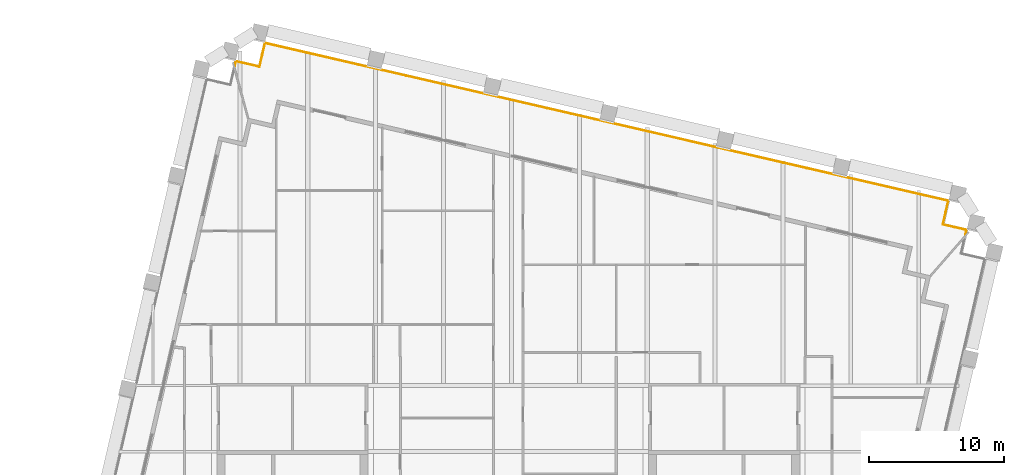
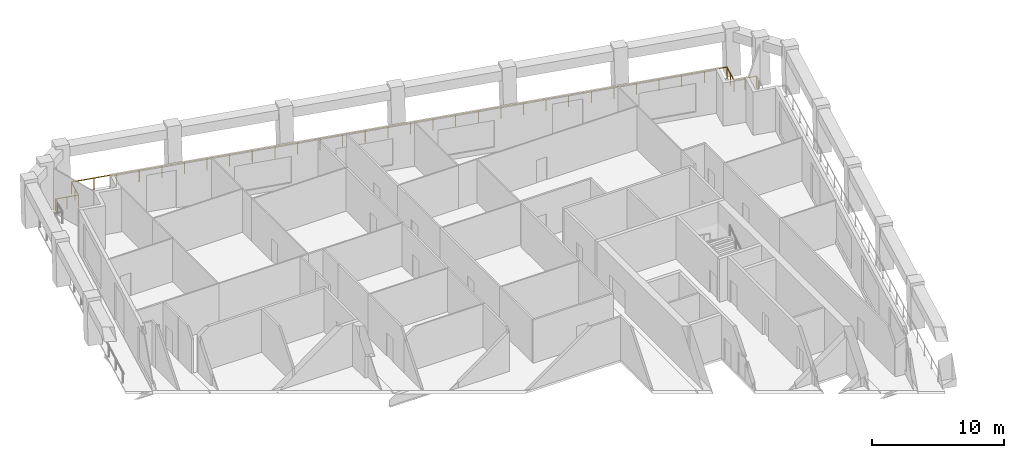
# One storey, part 11 of 11: 1 railing.
"""IFC4 building model written with IfcOpenShell, lengths in metres."""

from ifc_helpers import new_model, si_unit, direction, frame, origin, origin_2d, place, context, subcontext, project, spatial, circle, extrude, material, type_object, element, save


model = new_model("IFC4")

# Units and contexts
model_context = context("Model", 3, precision=1e-05, world=origin(), true_north=direction((0.0, 1.0)))
body_context = subcontext(model_context, "Body", "Model", "MODEL_VIEW")
ifc_project = project(units=[si_unit("LENGTHUNIT", "METRE"), si_unit("AREAUNIT", "SQUARE_METRE"), si_unit("VOLUMEUNIT", "CUBIC_METRE"), si_unit("PLANEANGLEUNIT", "RADIAN"), si_unit("MASSUNIT", "GRAM", prefix="KILO")], contexts=[model_context])

# Site, building, storey
site_placement = place(None, origin())
site = spatial("IfcSite", under=ifc_project, at=site_placement, CompositionType="ELEMENT")
building_placement = place(site_placement, origin())
building = spatial("IfcBuilding", under=site, at=building_placement, Name="Ogive Exchange Tower", CompositionType="ELEMENT")
storey_placement = place(building_placement, frame((0.0, 0.0, 259.800048828125)))
storey = spatial("IfcBuildingStorey", under=building, at=storey_placement, Name="L56", CompositionType="ELEMENT", Elevation=259.800048828125)

# Railing
ifc_material = material(Name="Stainless steel 316", Category="steel")
railing_type = type_object("IfcRailingType", Name="Guard 1100 stainless steel and glass", PredefinedType="GUARDRAIL", material=ifc_material)
railing_placement = place(storey_placement, frame((-20.263671875, 54.2216796875, -0.050048828125)))
element("IfcRailing", 1, at=railing_placement, inside=storey, type_object=railing_type, Name="Loggia guard 3", PredefinedType="GUARDRAIL", context=body_context, shape_type="SweptSolid", body=[
    extrude(circle(Radius=0.02392578125, at=origin_2d()), frame((0.0, 0.0, 1.076171875), z_axis=(0.225010268541, 0.974356392215, 0.0), x_axis=(-0.974356392215, 0.225010268541, 0.0)), (0.0, 0.0, 1.0), 0.354736328125),
    extrude(circle(Radius=0.02392578125, at=origin_2d()), frame((0.079833984375, 0.345703125, 1.076171875), z_axis=(0.974386623598, -0.224879318197, 0.0), x_axis=(0.224879318197, 0.974386623598, 0.0)), (0.0, 0.0, 1.0), 1.800048828125),
    extrude(circle(Radius=0.02392578125, at=origin_2d()), frame((1.833740234375, -0.05908203125, 1.076171875), z_axis=(0.224879318197, 0.974386623598, 0.0), x_axis=(-0.974386623598, 0.224879318197, 0.0)), (0.0, 0.0, 1.0), 1.800048828125),
    extrude(circle(Radius=0.02392578125, at=origin_2d()), frame((2.238525390625, 1.69482421875, 1.076171875), z_axis=(0.974370126852, -0.224950785504, 0.0), x_axis=(0.224950785504, 0.974370126852, 0.0)), (0.0, 0.0, 1.0), 51.960205078125),
    extrude(circle(Radius=0.02392578125, at=origin_2d()), frame((52.866943359375, -9.99365234375, 1.076171875), z_axis=(-0.225008086135, -0.974356896201, 0.0), x_axis=(0.974356896201, -0.225008086135, 0.0)), (0.0, 0.0, 1.0), 1.800048828125),
    extrude(circle(Radius=0.02392578125, at=origin_2d()), frame((52.4619140625, -11.74755859375, 1.076171875), z_axis=(0.974356896201, -0.225008086135, 0.0), x_axis=(0.225008086135, 0.974356896201, 0.0)), (0.0, 0.0, 1.0), 1.800048828125),
    extrude(circle(Radius=0.02392578125, at=origin_2d()), frame((54.2158203125, -12.152587890625, 1.076171875), z_axis=(-0.225010268541, -0.974356392215, 0.0), x_axis=(0.974356392215, -0.225010268541, 0.0)), (0.0, 0.0, 1.0), 0.354736328125),
    extrude(circle(Radius=0.02099609375, at=origin_2d()), origin(), (0.0, 0.0, 1.0), 1.052001953125),
    extrude(circle(Radius=0.02099609375, at=origin_2d()), frame((0.079833984375, 0.345703125, 0.0)), (0.0, 0.0, 1.0), 1.052001953125),
    extrude(circle(Radius=0.02099609375, at=origin_2d()), frame((0.956787109375, 0.143310546875, 0.0)), (0.0, 0.0, 1.0), 1.052001953125),
    extrude(circle(Radius=0.02099609375, at=origin_2d()), frame((1.833740234375, -0.05908203125, 0.0)), (0.0, 0.0, 1.0), 1.052001953125),
    extrude(circle(Radius=0.02099609375, at=origin_2d()), frame((2.0361328125, 0.81787109375, 0.0)), (0.0, 0.0, 1.0), 1.052001953125),
    extrude(circle(Radius=0.02099609375, at=origin_2d()), frame((2.238525390625, 1.69482421875, 0.0)), (0.0, 0.0, 1.0), 1.052001953125),
    extrude(circle(Radius=0.02099609375, at=origin_2d()), frame((3.984375, 1.291748046875, 0.0)), (0.0, 0.0, 1.0), 1.052001953125),
    extrude(circle(Radius=0.02099609375, at=origin_2d()), frame((5.730224609375, 0.888671875, 0.0)), (0.0, 0.0, 1.0), 1.052001953125),
    extrude(circle(Radius=0.02099609375, at=origin_2d()), frame((7.475830078125, 0.485595703125, 0.0)), (0.0, 0.0, 1.0), 1.052001953125),
    extrude(circle(Radius=0.02099609375, at=origin_2d()), frame((9.2216796875, 0.08251953125, 0.0)), (0.0, 0.0, 1.0), 1.052001953125),
    extrude(circle(Radius=0.02099609375, at=origin_2d()), frame((10.967529296875, -0.3203125, 0.0)), (0.0, 0.0, 1.0), 1.052001953125),
    extrude(circle(Radius=0.02099609375, at=origin_2d()), frame((12.71337890625, -0.723388671875, 0.0)), (0.0, 0.0, 1.0), 1.052001953125),
    extrude(circle(Radius=0.02099609375, at=origin_2d()), frame((14.459228515625, -1.12646484375, 0.0)), (0.0, 0.0, 1.0), 1.052001953125),
    extrude(circle(Radius=0.02099609375, at=origin_2d()), frame((16.205078125, -1.529541015625, 0.0)), (0.0, 0.0, 1.0), 1.052001953125),
    extrude(circle(Radius=0.02099609375, at=origin_2d()), frame((17.95068359375, -1.9326171875, 0.0)), (0.0, 0.0, 1.0), 1.052001953125),
    extrude(circle(Radius=0.02099609375, at=origin_2d()), frame((19.696533203125, -2.335693359375, 0.0)), (0.0, 0.0, 1.0), 1.052001953125),
    extrude(circle(Radius=0.02099609375, at=origin_2d()), frame((21.4423828125, -2.73876953125, 0.0)), (0.0, 0.0, 1.0), 1.052001953125),
    extrude(circle(Radius=0.02099609375, at=origin_2d()), frame((23.188232421875, -3.141845703125, 0.0)), (0.0, 0.0, 1.0), 1.052001953125),
    extrude(circle(Radius=0.02099609375, at=origin_2d()), frame((24.93408203125, -3.544921875, 0.0)), (0.0, 0.0, 1.0), 1.052001953125),
    extrude(circle(Radius=0.02099609375, at=origin_2d()), frame((26.679931640625, -3.947998046875, 0.0)), (0.0, 0.0, 1.0), 1.052001953125),
    extrude(circle(Radius=0.02099609375, at=origin_2d()), frame((28.425537109375, -4.350830078125, 0.0)), (0.0, 0.0, 1.0), 1.052001953125),
    extrude(circle(Radius=0.02099609375, at=origin_2d()), frame((30.17138671875, -4.75390625, 0.0)), (0.0, 0.0, 1.0), 1.052001953125),
    extrude(circle(Radius=0.02099609375, at=origin_2d()), frame((31.917236328125, -5.156982421875, 0.0)), (0.0, 0.0, 1.0), 1.052001953125),
    extrude(circle(Radius=0.02099609375, at=origin_2d()), frame((33.6630859375, -5.56005859375, 0.0)), (0.0, 0.0, 1.0), 1.052001953125),
    extrude(circle(Radius=0.02099609375, at=origin_2d()), frame((35.408935546875, -5.963134765625, 0.0)), (0.0, 0.0, 1.0), 1.052001953125),
    extrude(circle(Radius=0.02099609375, at=origin_2d()), frame((37.15478515625, -6.3662109375, 0.0)), (0.0, 0.0, 1.0), 1.052001953125),
    extrude(circle(Radius=0.02099609375, at=origin_2d()), frame((38.900390625, -6.769287109375, 0.0)), (0.0, 0.0, 1.0), 1.052001953125),
    extrude(circle(Radius=0.02099609375, at=origin_2d()), frame((40.646240234375, -7.17236328125, 0.0)), (0.0, 0.0, 1.0), 1.052001953125),
    extrude(circle(Radius=0.02099609375, at=origin_2d()), frame((42.39208984375, -7.575439453125, 0.0)), (0.0, 0.0, 1.0), 1.052001953125),
    extrude(circle(Radius=0.02099609375, at=origin_2d()), frame((44.137939453125, -7.978515625, 0.0)), (0.0, 0.0, 1.0), 1.052001953125),
    extrude(circle(Radius=0.02099609375, at=origin_2d()), frame((45.8837890625, -8.38134765625, 0.0)), (0.0, 0.0, 1.0), 1.052001953125),
    extrude(circle(Radius=0.02099609375, at=origin_2d()), frame((47.629638671875, -8.784423828125, 0.0)), (0.0, 0.0, 1.0), 1.052001953125),
    extrude(circle(Radius=0.02099609375, at=origin_2d()), frame((49.375244140625, -9.1875, 0.0)), (0.0, 0.0, 1.0), 1.052001953125),
    extrude(circle(Radius=0.02099609375, at=origin_2d()), frame((51.12109375, -9.590576171875, 0.0)), (0.0, 0.0, 1.0), 1.052001953125),
    extrude(circle(Radius=0.02099609375, at=origin_2d()), frame((52.866943359375, -9.99365234375, 0.0)), (0.0, 0.0, 1.0), 1.052001953125),
    extrude(circle(Radius=0.02099609375, at=origin_2d()), frame((52.66455078125, -10.87060546875, 0.0)), (0.0, 0.0, 1.0), 1.052001953125),
    extrude(circle(Radius=0.02099609375, at=origin_2d()), frame((52.4619140625, -11.74755859375, 0.0)), (0.0, 0.0, 1.0), 1.052001953125),
    extrude(circle(Radius=0.02099609375, at=origin_2d()), frame((53.3388671875, -11.9501953125, 0.0)), (0.0, 0.0, 1.0), 1.052001953125),
    extrude(circle(Radius=0.02099609375, at=origin_2d()), frame((54.2158203125, -12.152587890625, 0.0)), (0.0, 0.0, 1.0), 1.052001953125),
    extrude(circle(Radius=0.02099609375, at=origin_2d()), frame((54.135986328125, -12.498291015625, 0.0)), (0.0, 0.0, 1.0), 1.052001953125),
])

save(model, "model.ifc")
